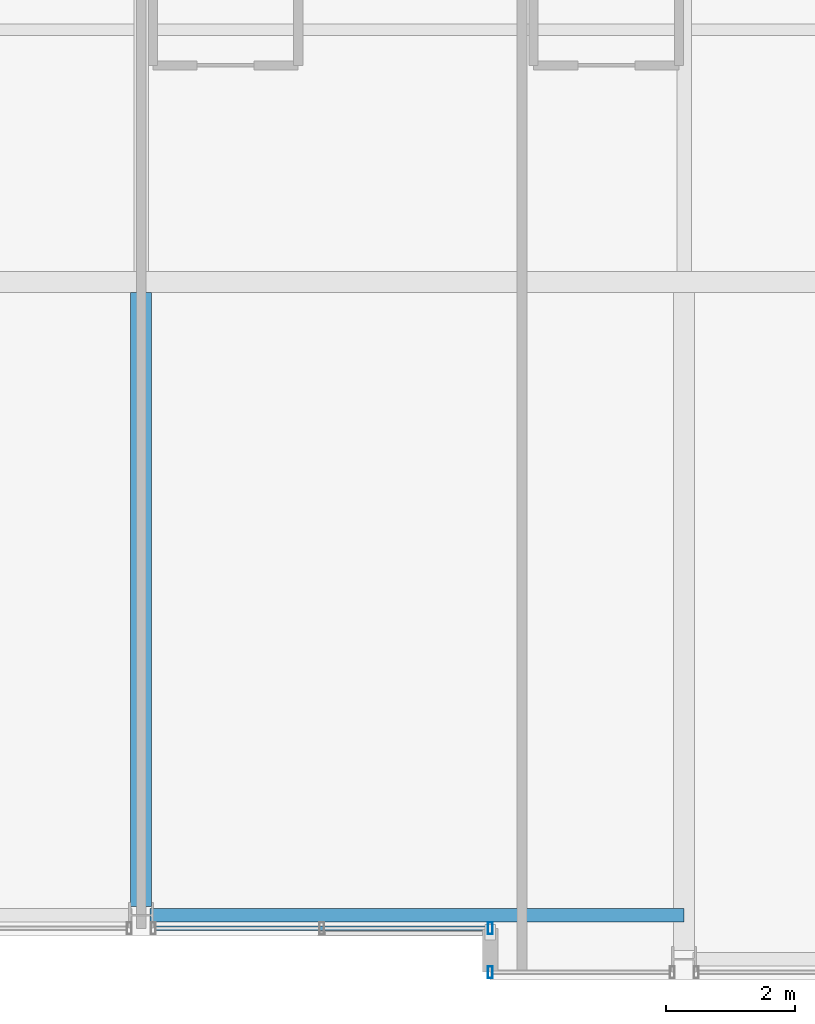
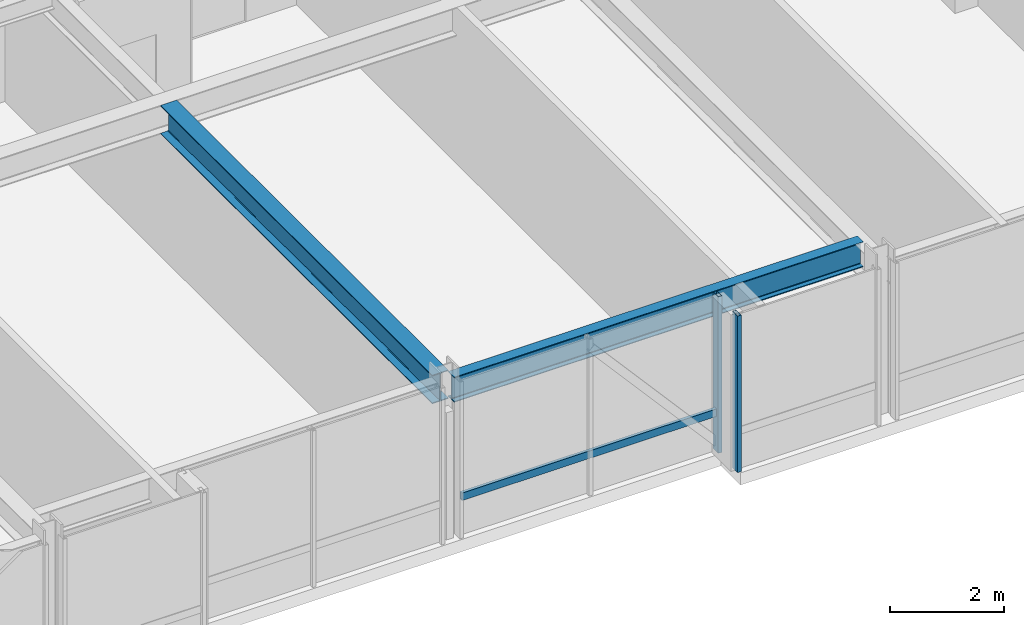
# One storey, part 5 of 32: 3 members, 2 beams, 2 elements without a shape of their own.
"""IFC4 building model written with IfcOpenShell, lengths in metres."""

from ifc_helpers import new_model, si_unit, direction, frame, origin, origin_2d, place, context, subcontext, project, spatial, hollow_rectangle, i_section, extrude, material, layer, layer_set, material_profile, profile_set, type_object, element, aggregate, save


model = new_model("IFC4")

# Units and contexts
model_context = context("Model", 3, precision=1e-05, world=origin(), true_north=direction((0.0, 1.0)))
body_context = subcontext(model_context, "Body", "Model", "MODEL_VIEW")
ifc_project = project(units=[si_unit("LENGTHUNIT", "METRE"), si_unit("AREAUNIT", "SQUARE_METRE"), si_unit("VOLUMEUNIT", "CUBIC_METRE"), si_unit("PLANEANGLEUNIT", "RADIAN"), si_unit("MASSUNIT", "GRAM", prefix="KILO")], contexts=[model_context])

# Site, building, storey
site_placement = place(None, origin())
site = spatial("IfcSite", under=ifc_project, at=site_placement, CompositionType="ELEMENT")
building_placement = place(site_placement, origin())
building = spatial("IfcBuilding", under=site, at=building_placement, Name="Drelvath Grand Hotel", CompositionType="ELEMENT")
storey_placement = place(building_placement, frame((0.0, 0.0, 205.10009765625)))
storey = spatial("IfcBuildingStorey", under=building, at=storey_placement, Name="L53", CompositionType="ELEMENT", Elevation=205.10009765625)

# Curtain wall, member
ifc_material_1 = material(Name="Platinum-Mist Anodised Aluminium Frame", Category="aluminium")
ifc_layer = layer(ifc_material_1, 0.199951171875)
ifc_layer_set = layer_set([ifc_layer], Name="Platinum-Mist Anodised Aluminium Frame")
curtain_wall_type = type_object("IfcCurtainWallType", Name="Stick Curtain Wall CW-05 Platinum Mist High-Rise", PredefinedType="NOTDEFINED", material=ifc_layer_set)
curtain_wall_1_placement = place(storey_placement, origin())
curtain_wall_1 = element("IfcCurtainWall", 1, at=curtain_wall_1_placement, inside=storey, type_object=curtain_wall_type, Name="L53 CW-05 Curtain Wall CW05-L53-SM2", PredefinedType="NOTDEFINED")
ifc_material_profile_1 = material_profile(ifc_material_1, hollow_rectangle(XDim=0.06494140625, YDim=0.159912109375, WallThickness=0.00390625, at=origin_2d()), Name="HSS160X65X4")
ifc_profile_set_1 = profile_set([ifc_material_profile_1], Name="Platinum-Mist Anodised Aluminium Frame")
member_type_1 = type_object("IfcMemberType", Name="Curtain Wall Horizontal Transom CW-05 HSS160X65X4", PredefinedType="USERDEFINED", material=ifc_profile_set_1)
member_1_placement = place(storey_placement, frame((5.360107421875, 0.800048828125, 0.8349609375), z_axis=(-1.0, 0.0, 0.0), x_axis=(0.0, -1.0, 0.0)))
member_1 = element("IfcMember", 2, at=member_1_placement, type_object=member_type_1, Name="CW05-L53-SM2 Sill Transom", ObjectType="TRANSOM", PredefinedType="USERDEFINED", context=body_context, shape_type="SweptSolid", body=[
    extrude(hollow_rectangle(XDim=0.06494140625, YDim=0.159912109375, WallThickness=0.00390625, at=origin_2d()), origin(), (0.0, 0.0, 1.0), 5.134765625),
])

curtain_wall_2_placement = place(storey_placement, origin())
curtain_wall_2 = element("IfcCurtainWall", 3, at=curtain_wall_2_placement, inside=storey, type_object=curtain_wall_type, Name="L53 CW-05 Curtain Wall CW05-L53-SE1", PredefinedType="NOTDEFINED")
ifc_material_profile_2 = material_profile(ifc_material_1, hollow_rectangle(XDim=0.074951171875, YDim=0.179931640625, WallThickness=0.0048828125, at=origin_2d()), Name="HSS180X75X5")
ifc_profile_set_2 = profile_set([ifc_material_profile_2], Name="Platinum-Mist Anodised Aluminium Frame")
member_type_2 = type_object("IfcMemberType", Name="Curtain Wall Vertical Mullion CW-05 HSS180X75X5", PredefinedType="MULLION", material=ifc_profile_set_2)
member_2_placement = place(storey_placement, frame((5.39990234375, 0.1201171875, 0.0), z_axis=(0.0, 0.0, 1.0), x_axis=(1.0, 0.0, 0.0)))
member_2 = element("IfcMember", 4, at=member_2_placement, type_object=member_type_2, Name="CW05-L53-SE1 Mullion 2", PredefinedType="MULLION", context=body_context, shape_type="SweptSolid", body=[
    extrude(hollow_rectangle(XDim=0.074951171875, YDim=0.179931640625, WallThickness=0.0048828125, at=origin_2d()), origin(), (0.0, 0.0, 1.0), 3.33984375),
])
aggregate(curtain_wall_2, [member_2])

# Member
member_3_placement = place(storey_placement, frame((5.39990234375, 0.800048828125, 0.0), z_axis=(0.0, 0.0, 1.0), x_axis=(1.0, 0.0, 0.0)))
member_3 = element("IfcMember", 5, at=member_3_placement, type_object=member_type_2, Name="CW05-L53-SM2 Mullion 1", PredefinedType="MULLION", context=body_context, shape_type="SweptSolid", body=[
    extrude(hollow_rectangle(XDim=0.074951171875, YDim=0.179931640625, WallThickness=0.0048828125, at=origin_2d()), origin(), (0.0, 0.0, 1.0), 3.33984375),
])

aggregate(curtain_wall_1, [member_3, member_1])

# Beams
ifc_material_2 = material(Name="Steel ASTM A992 Gr 50", Category="steel")
ifc_material_profile_3 = material_profile(ifc_material_2, i_section(OverallWidth=0.210205078125, OverallDepth=0.53662109375, WebThickness=0.010986328125, FlangeThickness=0.017333984375, FilletRadius=0.01806640625, at=origin_2d()), Name="W21X68")
ifc_profile_set_3 = profile_set([ifc_material_profile_3], Name="Steel ASTM A992 Gr 50")
beam_type_1 = type_object("IfcBeamType", Name="Perimeter Spandrel Beam W21X68", PredefinedType="SPANDREL", material=ifc_profile_set_3)
beam_1_placement = place(storey_placement, frame((0.139892578125, 1.0, 3.071533203125), z_axis=(1.0, 0.0, 0.0), x_axis=(0.0, 1.0, 0.0)))
element("IfcBeam", 6, at=beam_1_placement, inside=storey, type_object=beam_type_1, Name="L53 Spandrel South Mid E", PredefinedType="SPANDREL", context=body_context, shape_type="SweptSolid", body=[
    extrude(i_section(OverallWidth=0.210205078125, OverallDepth=0.53662109375, WebThickness=0.010986328125, FlangeThickness=0.017333984375, FilletRadius=0.01806640625, at=origin_2d()), origin(), (0.0, 0.0, 1.0), 8.260009765625),
])
ifc_material_profile_4 = material_profile(ifc_material_2, i_section(OverallWidth=0.323974609375, OverallDepth=0.611083984375, WebThickness=0.0126953125, FlangeThickness=0.01904296875, FilletRadius=0.02197265625, at=origin_2d()), Name="W24X104")
ifc_profile_set_4 = profile_set([ifc_material_profile_4], Name="Steel ASTM A992 Gr 50")
beam_type_2 = type_object("IfcBeamType", Name="Primary Floor Girder W24X104", PredefinedType="BEAM", material=ifc_profile_set_4)
beam_2_placement = place(storey_placement, frame((0.0, 1.139892578125, 3.034423828125), z_axis=(0.0, 1.0, 0.0), x_axis=(-1.0, 0.0, 0.0)))
element("IfcBeam", 7, at=beam_2_placement, inside=storey, type_object=beam_type_2, Name="L53 South Wing Girder 5", PredefinedType="BEAM", context=body_context, shape_type="SweptSolid", body=[
    extrude(i_section(OverallWidth=0.323974609375, OverallDepth=0.611083984375, WebThickness=0.0126953125, FlangeThickness=0.01904296875, FilletRadius=0.02197265625, at=origin_2d()), origin(), (0.0, 0.0, 1.0), 9.498046875),
])

save(model, "model.ifc")
